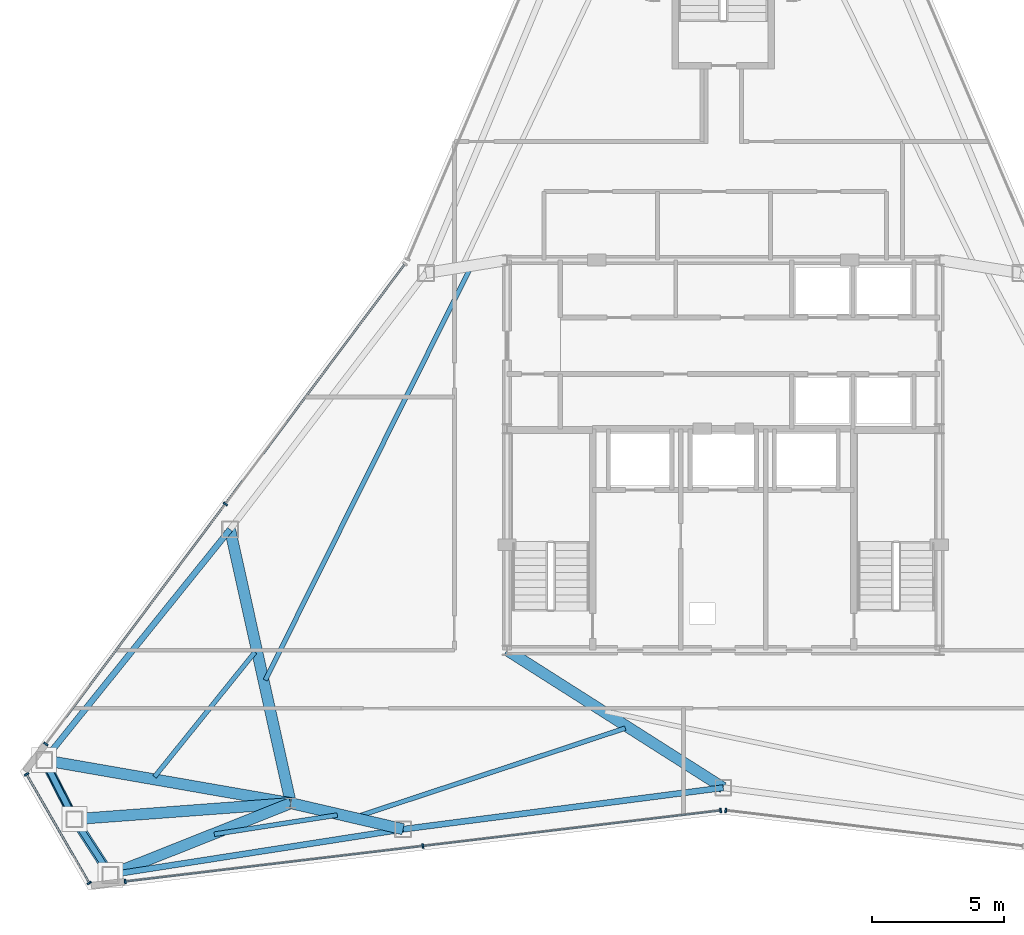
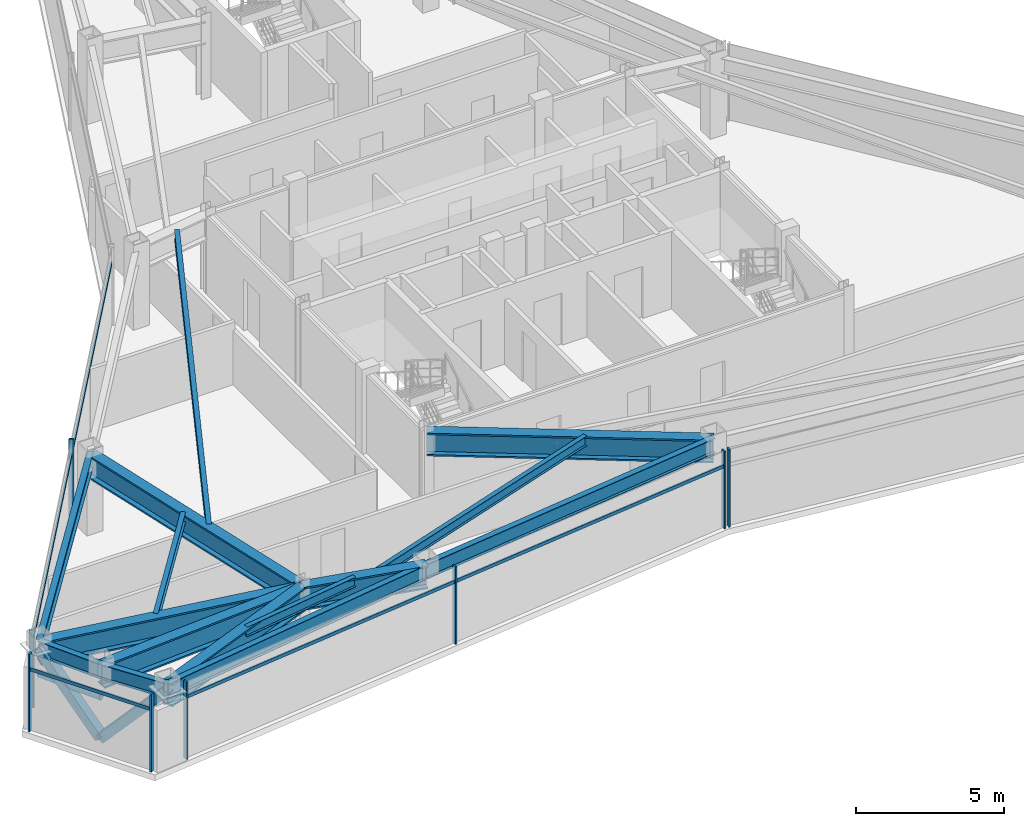
# One storey, part 3 of 12: 15 beams, 14 members, 4 elements without a shape of their own.
"""IFC4 building model written with IfcOpenShell, lengths in metres."""

from ifc_helpers import new_model, si_unit, direction, frame, origin, origin_2d, place, context, subcontext, project, spatial, rectangle, hollow_rectangle, hollow_circle, i_section, extrude, source, transform, mapped, material, layer, layer_set, material_profile, profile_set, type_object, type_shapes, element, aggregate, save


model = new_model("IFC4")

# Units and contexts
model_context = context("Model", 3, precision=1e-05, world=origin(), true_north=direction((0.0, 1.0)))
body_context = subcontext(model_context, "Body", "Model", "MODEL_VIEW")
ifc_project = project(units=[si_unit("LENGTHUNIT", "METRE"), si_unit("AREAUNIT", "SQUARE_METRE"), si_unit("VOLUMEUNIT", "CUBIC_METRE"), si_unit("PLANEANGLEUNIT", "RADIAN"), si_unit("MASSUNIT", "GRAM", prefix="KILO")], contexts=[model_context])

# Site, building, storey
site_placement = place(None, origin())
site = spatial("IfcSite", under=ifc_project, at=site_placement, CompositionType="ELEMENT")
building_placement = place(site_placement, origin())
building = spatial("IfcBuilding", under=site, at=building_placement, Name="Varakhsha Concourse Tower", CompositionType="ELEMENT")
storey_placement = place(building_placement, frame((0.0, 0.0, 286.5)))
storey = spatial("IfcBuildingStorey", under=building, at=storey_placement, Name="L81", CompositionType="ELEMENT", Elevation=286.5)

# Beams
ifc_material_1 = material(Name="Structural Steel ASTM A992 Grade 50", Category="steel")
ifc_material_profile_1 = material_profile(ifc_material_1, i_section(OverallWidth=0.177978515625, OverallDepth=0.406982421875, WebThickness=0.008056640625, FlangeThickness=0.012939453125, at=origin_2d()), Name="W16X40")
ifc_profile_set_1 = profile_set([ifc_material_profile_1], Name="Structural Steel ASTM A992 Grade 50")
beam_type_1 = type_object("IfcBeamType", Name="BM-JST-W16X40", PredefinedType="JOIST", material=ifc_profile_set_1)
beam_1_placement = place(storey_placement, frame((30.399658203125, 30.884765625, 2.99658203125), z_axis=(-0.445174471936, -0.895443850577, 0.0), x_axis=(0.895443850577, -0.445174471936, 0.0)))
element("IfcBeam", 1, at=beam_1_placement, inside=storey, type_object=beam_type_1, Name="BM-TJST-L81-05", PredefinedType="JOIST", context=body_context, shape_type="SweptSolid", body=[
    extrude(i_section(OverallWidth=0.177978515625, OverallDepth=0.406982421875, WebThickness=0.008056640625, FlangeThickness=0.012939453125, at=origin_2d()), origin(), (0.0, 0.0, 1.0), 17.4423828125),
])
beam_2_placement = place(storey_placement, frame((22.239990234375, 16.327880859375, 2.99658203125), z_axis=(-0.627250971865, -0.778817191833, 0.0), x_axis=(0.778817191833, -0.627250971865, 0.0)))
element("IfcBeam", 2, at=beam_2_placement, inside=storey, type_object=beam_type_1, Name="BM-TJST-L81-06", PredefinedType="JOIST", context=body_context, shape_type="SweptSolid", body=[
    extrude(i_section(OverallWidth=0.177978515625, OverallDepth=0.406982421875, WebThickness=0.008056640625, FlangeThickness=0.012939453125, at=origin_2d()), origin(), (0.0, 0.0, 1.0), 6.07275390625),
])
beam_3_placement = place(storey_placement, frame((20.697509765625, 9.4208984375, 2.99658203125), z_axis=(0.988095879414, 0.153839309294, 0.0), x_axis=(-0.153839309294, 0.988095879414, 0.0)))
element("IfcBeam", 3, at=beam_3_placement, inside=storey, type_object=beam_type_1, Name="BM-TJST-L81-09", PredefinedType="JOIST", context=body_context, shape_type="SweptSolid", body=[
    extrude(i_section(OverallWidth=0.177978515625, OverallDepth=0.406982421875, WebThickness=0.008056640625, FlangeThickness=0.012939453125, at=origin_2d()), origin(), (0.0, 0.0, 1.0), 4.724365234375),
])
beam_4_placement = place(storey_placement, frame((26.090087890625, 10.080078125, 2.99658203125), z_axis=(0.949633858692, 0.31336166713, 0.0), x_axis=(-0.31336166713, 0.949633858692, 0.0)))
element("IfcBeam", 4, at=beam_4_placement, inside=storey, type_object=beam_type_1, Name="BM-TJST-L81-10", PredefinedType="JOIST", context=body_context, shape_type="SweptSolid", body=[
    extrude(i_section(OverallWidth=0.177978515625, OverallDepth=0.406982421875, WebThickness=0.008056640625, FlangeThickness=0.012939453125, at=origin_2d()), origin(), (0.0, 0.0, 1.0), 10.73828125),
])
ifc_material_profile_2 = material_profile(ifc_material_1, i_section(OverallWidth=0.423095703125, OverallDepth=0.947998046875, WebThickness=0.0380859375, FlangeThickness=0.06396484375, at=origin_2d()), Name="W36X302")
ifc_profile_set_2 = profile_set([ifc_material_profile_2], Name="Structural Steel ASTM A992 Grade 50")
beam_type_2 = type_object("IfcBeamType", Name="BM-OUTR-W36X302", PredefinedType="USERDEFINED", material=ifc_profile_set_2)
beam_5_placement = place(storey_placement, frame((23.60009765625, 10.60009765625, 2.72607421875), z_axis=(-0.216774876947, 0.976221620701, 0.0), x_axis=(-0.976221620701, -0.216774876947, 0.0)))
element("IfcBeam", 5, at=beam_5_placement, inside=storey, type_object=beam_type_2, Name="L81 Radial Floor Girder 06", ObjectType="GIRDER", PredefinedType="USERDEFINED", context=body_context, shape_type="SweptSolid", body=[
    extrude(i_section(OverallWidth=0.423095703125, OverallDepth=0.947998046875, WebThickness=0.0380859375, FlangeThickness=0.06396484375, at=origin_2d()), origin(), (0.0, 0.0, 1.0), 10.634033203125),
])
beam_6_placement = place(storey_placement, frame((23.60009765625, 10.60009765625, 2.72607421875), z_axis=(-0.985160946452, 0.171633066701, 0.0), x_axis=(-0.171633066701, -0.985160946452, 0.0)))
element("IfcBeam", 6, at=beam_6_placement, inside=storey, type_object=beam_type_2, Name="L81 Radial Floor Girder 07", ObjectType="GIRDER", PredefinedType="USERDEFINED", context=body_context, shape_type="SweptSolid", body=[
    extrude(i_section(OverallWidth=0.423095703125, OverallDepth=0.947998046875, WebThickness=0.0380859375, FlangeThickness=0.06396484375, at=origin_2d()), origin(), (0.0, 0.0, 1.0), 9.494873046875),
])
beam_7_placement = place(storey_placement, frame((23.60009765625, 10.60009765625, 2.72607421875), z_axis=(-0.997265326359, -0.073904457528, 0.0), x_axis=(0.073904457528, -0.997265326359, 0.0)))
element("IfcBeam", 7, at=beam_7_placement, inside=storey, type_object=beam_type_2, Name="L81 Radial Floor Girder 08", ObjectType="GIRDER", PredefinedType="USERDEFINED", context=body_context, shape_type="SweptSolid", body=[
    extrude(i_section(OverallWidth=0.423095703125, OverallDepth=0.947998046875, WebThickness=0.0380859375, FlangeThickness=0.06396484375, at=origin_2d()), origin(), (0.0, 0.0, 1.0), 8.232177734375),
])
beam_8_placement = place(storey_placement, frame((23.60009765625, 10.60009765625, 2.72607421875), z_axis=(-0.929358942511, -0.369177404476, 0.0), x_axis=(0.369177404476, -0.929358942511, 0.0)))
element("IfcBeam", 8, at=beam_8_placement, inside=storey, type_object=beam_type_2, Name="L81 Radial Floor Girder 09", ObjectType="GIRDER", PredefinedType="USERDEFINED", context=body_context, shape_type="SweptSolid", body=[
    extrude(i_section(OverallWidth=0.423095703125, OverallDepth=0.947998046875, WebThickness=0.0380859375, FlangeThickness=0.06396484375, at=origin_2d()), origin(), (0.0, 0.0, 1.0), 7.36376953125),
])
beam_9_placement = place(storey_placement, frame((23.60009765625, 10.60009765625, 2.72607421875), z_axis=(0.974053264238, -0.22631888659, 0.0), x_axis=(0.22631888659, 0.974053264238, 0.0)))
element("IfcBeam", 9, at=beam_9_placement, inside=storey, type_object=beam_type_2, Name="L81 Radial Floor Girder 10", ObjectType="GIRDER", PredefinedType="USERDEFINED", context=body_context, shape_type="SweptSolid", body=[
    extrude(i_section(OverallWidth=0.423095703125, OverallDepth=0.947998046875, WebThickness=0.0380859375, FlangeThickness=0.06396484375, at=origin_2d()), origin(), (0.0, 0.0, 1.0), 4.373291015625),
])
beam_10_placement = place(storey_placement, frame((31.800048828125, 16.39990234375, 2.72607421875), z_axis=(0.843815591671, -0.536633252094, 0.0), x_axis=(0.536633252094, 0.843815591671, 0.0)))
element("IfcBeam", 10, at=beam_10_placement, inside=storey, type_object=beam_type_2, Name="L81 Radial Floor Girder 11", ObjectType="GIRDER", PredefinedType="USERDEFINED", context=body_context, shape_type="SweptSolid", body=[
    extrude(i_section(OverallWidth=0.423095703125, OverallDepth=0.947998046875, WebThickness=0.0380859375, FlangeThickness=0.06396484375, at=origin_2d()), origin(), (0.0, 0.0, 1.0), 9.7177734375),
])
ifc_material_profile_3 = material_profile(ifc_material_1, i_section(OverallWidth=0.22900390625, OverallDepth=0.612060546875, WebThickness=0.011962890625, FlangeThickness=0.02001953125, at=origin_2d()), Name="W24X84")
ifc_profile_set_3 = profile_set([ifc_material_profile_3], Name="Structural Steel ASTM A992 Grade 50")
beam_type_3 = type_object("IfcBeamType", Name="BM-SPAN-W24X84", PredefinedType="SPANDREL", material=ifc_profile_set_3)
beam_11_placement = place(storey_placement, frame((21.294921875, 20.981201171875, 2.89404296875), z_axis=(-0.627277564502, -0.778795773661, 0.0), x_axis=(0.778795773661, -0.627277564502, 0.0)))
element("IfcBeam", 11, at=beam_11_placement, inside=storey, type_object=beam_type_3, Name="BM-SPAN-L81-06", PredefinedType="SPANDREL", context=body_context, shape_type="SweptSolid", body=[
    extrude(i_section(OverallWidth=0.22900390625, OverallDepth=0.612060546875, WebThickness=0.011962890625, FlangeThickness=0.02001953125, at=origin_2d()), origin(), (0.0, 0.0, 1.0), 11.237060546875),
])
for number, where, z_axis, x_axis, name in (
    (12, (14.24609375, 12.229736328125, 2.89404296875), (0.455237693932, -0.89036994672, 0.0), (0.89036994672, 0.455237693932, 0.0), "BM-SPAN-L81-07"),
    (13, (15.390380859375, 9.99169921875, 2.89404296875), (0.543488847416, -0.839416388173, 0.0), (0.839416388173, 0.543488847416, 0.0), "BM-SPAN-L81-08"),
):
    element("IfcBeam", number, at=place(storey_placement, frame(where, z_axis=z_axis, x_axis=x_axis)), inside=storey, type_object=beam_type_3, Name=name, PredefinedType="SPANDREL", context=body_context, shape_type="SweptSolid", body=[
        extrude(i_section(OverallWidth=0.22900390625, OverallDepth=0.612060546875, WebThickness=0.011962890625, FlangeThickness=0.02001953125, at=origin_2d()), origin(), (0.0, 0.0, 1.0), 2.513671875),
    ])
beam_12_placement = place(storey_placement, frame((16.756591796875, 7.881591796875, 2.89404296875), z_axis=(0.988095047233, 0.153844654224, 0.0), x_axis=(-0.153844654224, 0.988095047233, 0.0)))
element("IfcBeam", 14, at=beam_12_placement, inside=storey, type_object=beam_type_3, Name="BM-SPAN-L81-09", PredefinedType="SPANDREL", context=body_context, shape_type="SweptSolid", body=[
    extrude(i_section(OverallWidth=0.22900390625, OverallDepth=0.612060546875, WebThickness=0.011962890625, FlangeThickness=0.02001953125, at=origin_2d()), origin(), (0.0, 0.0, 1.0), 11.237060546875),
])
beam_13_placement = place(storey_placement, frame((27.85986328125, 9.6103515625, 2.89404296875), z_axis=(0.991692239346, 0.12863320886, 0.0), x_axis=(-0.12863320886, 0.991692239346, 0.0)))
element("IfcBeam", 15, at=beam_13_placement, inside=storey, type_object=beam_type_3, Name="BM-SPAN-L81-10", PredefinedType="SPANDREL", context=body_context, shape_type="SweptSolid", body=[
    extrude(i_section(OverallWidth=0.22900390625, OverallDepth=0.612060546875, WebThickness=0.011962890625, FlangeThickness=0.02001953125, at=origin_2d()), origin(), (0.0, 0.0, 1.0), 12.241943359375),
])

# Members
ifc_material_2 = material(Name="Structural Steel ASTM A500 Grade C", Category="steel")
ifc_material_profile_4 = material_profile(ifc_material_2, hollow_rectangle(XDim=0.35009765625, YDim=0.35009765625, WallThickness=0.01611328125, at=origin_2d()), Name="HSS 350x350x16")
ifc_profile_set_4 = profile_set([ifc_material_profile_4], Name="Structural Steel ASTM A500 Grade C")
member_type_1 = type_object("IfcMemberType", Name="MB-TUBE-HSS350", PredefinedType="BRACE", material=ifc_profile_set_4)
shared_shape_1 = source(origin(), body_context, "Body", "SweptSolid", [
    extrude(hollow_rectangle(XDim=0.35009765625, YDim=0.35009765625, WallThickness=0.01611328125, at=origin_2d()), origin(), (0.0, 0.0, 1.0), 3.747802734375),
])
type_shapes(member_type_1, [shared_shape_1])
for number, where, z_axis, x_axis, name in (
    (16, (15.390380859375, 9.99169921875, 0.1201171875), (-0.305328832075, 0.597172904551, 0.741726921699), (-0.89036994672, -0.455237693932, 0.0), "L81 Wind-Corner Tube Brace B03"),
    (17, (15.390380859375, 9.99169921875, 0.1201171875), (0.364533062698, -0.563019882219, 0.741703618992), (0.839416388173, 0.543488847416, 0.0), "L81 Wind-Corner Tube Brace B04"),
):
    element("IfcMember", number, at=place(storey_placement, frame(where, z_axis=z_axis, x_axis=x_axis)), inside=storey, type_object=member_type_1, Name=name, PredefinedType="BRACE", context=body_context, shape_type="MappedRepresentation", body=[
        mapped(shared_shape_1, transform((0.0, 0.0, 0.0), scale=1.0)),
    ])
ifc_material_profile_5 = material_profile(ifc_material_2, hollow_circle(Radius=0.136474609375, WallThickness=0.011962890625, at=origin_2d()), Name="CHS 273x12")
ifc_profile_set_5 = profile_set([ifc_material_profile_5], Name="Structural Steel ASTM A500 Grade C")
member_type_2 = type_object("IfcMemberType", Name="MB-WIND-CHS273", PredefinedType="COLLAR", material=ifc_profile_set_5)
shared_shape_2 = source(origin(), body_context, "Body", "SweptSolid", [
    extrude(hollow_circle(Radius=0.136474609375, WallThickness=0.011962890625, at=origin_2d()), origin(), (0.0, 0.0, 1.0), 2.513671875),
])
type_shapes(member_type_2, [shared_shape_2])
member_1_placement = place(storey_placement, frame((14.24609375, 12.229736328125, 1.800048828125), z_axis=(0.455237693932, -0.89036994672, 0.0), x_axis=(0.89036994672, 0.455237693932, 0.0)))
element("IfcMember", 18, at=member_1_placement, inside=storey, type_object=member_type_2, Name="L81 Wind-Corner Collar Tie 2", PredefinedType="COLLAR", context=body_context, shape_type="MappedRepresentation", body=[
    mapped(shared_shape_2, transform((0.0, 0.0, 0.0), scale=1.0)),
])

# Curtain wall, members
ifc_material_3 = material(Name="Anodised Bronze Architectural Aluminium AA 6063-T6", Category="aluminium")
ifc_layer = layer(ifc_material_3, 0.199951171875, Name="CW-SYS-05")
ifc_layer_set = layer_set([ifc_layer], Name="Anodised Bronze Architectural Aluminium AA 6063-T6")
curtain_wall_type = type_object("IfcCurtainWallType", Name="CW-SYS-05", PredefinedType="NOTDEFINED", material=ifc_layer_set)
curtain_wall_1_placement = place(storey_placement, origin())
curtain_wall_1 = element("IfcCurtainWall", 19, at=curtain_wall_1_placement, inside=storey, type_object=curtain_wall_type, Name="L81 Crystal Curtain Wall F3", PredefinedType="NOTDEFINED")
ifc_material_profile_6 = material_profile(ifc_material_3, rectangle(XDim=0.06494140625, YDim=0.179931640625, at=origin_2d()), Name="CWM-180X65")
ifc_profile_set_6 = profile_set([ifc_material_profile_6], Name="Anodised Bronze Architectural Aluminium AA 6063-T6")
member_type_3 = type_object("IfcMemberType", Name="CWM-180X65", PredefinedType="MULLION", material=ifc_profile_set_6)
shared_shape_3 = source(origin(), body_context, "Body", "SweptSolid", [
    extrude(rectangle(XDim=0.06494140625, YDim=0.179931640625, at=origin_2d()), origin(), (0.0, 0.0, 1.0), 3.199951171875),
])
type_shapes(member_type_3, [shared_shape_3])
member_2_placement = place(storey_placement, frame((14.30712890625, 12.844482421875, 0.0), z_axis=(0.0, 0.0, 1.0), x_axis=(0.599113037331, 0.800664454375, 0.0)))
member_2 = element("IfcMember", 20, at=member_2_placement, type_object=member_type_3, Name="CW-L81-F3 Mullion 00", PredefinedType="MULLION", context=body_context, shape_type="MappedRepresentation", body=[
    mapped(shared_shape_3, transform((0.0, 0.0, 0.0), scale=1.0)),
])
member_3_placement = place(storey_placement, frame((21.119873046875, 21.948974609375, 0.0), z_axis=(0.0, 0.0, 1.0), x_axis=(0.599113037331, 0.800664454375, 0.0)))
member_3 = element("IfcMember", 21, at=member_3_placement, type_object=member_type_3, Name="CW-L81-F3 Mullion 01", PredefinedType="MULLION", context=body_context, shape_type="MappedRepresentation", body=[
    mapped(shared_shape_3, transform((0.0, 0.0, 0.0), scale=1.0)),
])

curtain_wall_2_placement = place(storey_placement, origin())
curtain_wall_2 = element("IfcCurtainWall", 22, at=curtain_wall_2_placement, inside=storey, type_object=curtain_wall_type, Name="L81 Chamfer Curtain Wall F4", PredefinedType="NOTDEFINED")
member_4_placement = place(storey_placement, frame((15.956787109375, 7.570556640625, 0.0), z_axis=(0.0, 0.0, 1.0), x_axis=(-0.4999984885, 0.866026276448, 0.0)))
member_4 = element("IfcMember", 23, at=member_4_placement, type_object=member_type_3, Name="CW-L81-F4 Mullion 00", PredefinedType="MULLION", context=body_context, shape_type="MappedRepresentation", body=[
    mapped(shared_shape_3, transform((0.0, 0.0, 0.0), scale=1.0)),
])
member_5_placement = place(storey_placement, frame((13.576904296875, 11.69287109375, 0.0), z_axis=(0.0, 0.0, 1.0), x_axis=(-0.4999984885, 0.866026276448, 0.0)))
member_5 = element("IfcMember", 24, at=member_5_placement, type_object=member_type_3, Name="CW-L81-F4 Mullion 01", PredefinedType="MULLION", context=body_context, shape_type="MappedRepresentation", body=[
    mapped(shared_shape_3, transform((0.0, 0.0, 0.0), scale=1.0)),
])

curtain_wall_3_placement = place(storey_placement, origin())
curtain_wall_3 = element("IfcCurtainWall", 25, at=curtain_wall_3_placement, inside=storey, type_object=curtain_wall_type, Name="L81 Crystal Curtain Wall F5", PredefinedType="NOTDEFINED")
member_6_placement = place(storey_placement, frame((39.901611328125, 10.322509765625, 0.0), z_axis=(0.0, 0.0, 1.0), x_axis=(-0.992952482908, -0.118513149851, 0.0)))
member_6 = element("IfcMember", 26, at=member_6_placement, type_object=member_type_3, Name="CW-L81-F5 Mullion 00", PredefinedType="MULLION", context=body_context, shape_type="MappedRepresentation", body=[
    mapped(shared_shape_3, transform((0.0, 0.0, 0.0), scale=1.0)),
])
member_7_placement = place(storey_placement, frame((28.6103515625, 8.974609375, 0.0), z_axis=(0.0, 0.0, 1.0), x_axis=(-0.992952482908, -0.118513149851, 0.0)))
member_7 = element("IfcMember", 27, at=member_7_placement, type_object=member_type_3, Name="CW-L81-F5 Mullion 01", PredefinedType="MULLION", context=body_context, shape_type="MappedRepresentation", body=[
    mapped(shared_shape_3, transform((0.0, 0.0, 0.0), scale=1.0)),
])
member_8_placement = place(storey_placement, frame((17.3193359375, 7.627197265625, 0.0), z_axis=(0.0, 0.0, 1.0), x_axis=(-0.992952482908, -0.118513149851, 0.0)))
member_8 = element("IfcMember", 28, at=member_8_placement, type_object=member_type_3, Name="CW-L81-F5 Mullion 02", PredefinedType="MULLION", context=body_context, shape_type="MappedRepresentation", body=[
    mapped(shared_shape_3, transform((0.0, 0.0, 0.0), scale=1.0)),
])

# Curtain wall, member
curtain_wall_4_placement = place(storey_placement, origin())
curtain_wall_4 = element("IfcCurtainWall", 29, at=curtain_wall_4_placement, inside=storey, type_object=curtain_wall_type, Name="L81 Crystal Curtain Wall F6", PredefinedType="NOTDEFINED")
member_9_placement = place(storey_placement, frame((40.098388671875, 10.322509765625, 0.0), z_axis=(0.0, 0.0, 1.0), x_axis=(-0.992952482908, 0.118513149851, 0.0)))
member_9 = element("IfcMember", 30, at=member_9_placement, type_object=member_type_3, Name="CW-L81-F6 Mullion 02", PredefinedType="MULLION", context=body_context, shape_type="MappedRepresentation", body=[
    mapped(shared_shape_3, transform((0.0, 0.0, 0.0), scale=1.0)),
])
aggregate(curtain_wall_4, [member_9])

# Member
ifc_material_profile_7 = material_profile(ifc_material_3, rectangle(XDim=0.06005859375, YDim=0.139892578125, at=origin_2d()), Name="CWT-140X60")
ifc_profile_set_7 = profile_set([ifc_material_profile_7], Name="Anodised Bronze Architectural Aluminium AA 6063-T6")
member_type_4 = type_object("IfcMemberType", Name="CWT-140X60", PredefinedType="USERDEFINED", material=ifc_profile_set_7)
shared_shape_4 = source(origin(), body_context, "Body", "SweptSolid", [
    extrude(rectangle(XDim=0.06005859375, YDim=0.139892578125, at=origin_2d()), origin(), (0.0, 0.0, 1.0), 22.74267578125),
])
member_10_placement = place(storey_placement, frame((14.30712890625, 12.844482421875, 2.550048828125), z_axis=(0.599115077017, 0.800662928136, 0.0), x_axis=(-0.800662928136, 0.599115077017, 0.0)))
member_10 = element("IfcMember", 31, at=member_10_placement, type_object=member_type_4, Name="CW-L81-F3 Transom 01", ObjectType="TRANSOM", PredefinedType="USERDEFINED", context=body_context, shape_type="MappedRepresentation", body=[
    mapped(shared_shape_4, transform((0.0, 0.0, 0.0), scale=1.0)),
])

aggregate(curtain_wall_1, [member_2, member_3, member_10])

member_11_placement = place(storey_placement, frame((39.901611328125, 10.322509765625, 2.550048828125), z_axis=(-0.992952375289, -0.118514051517, 0.0), x_axis=(0.118514051517, -0.992952375289, 0.0)))
member_11 = element("IfcMember", 32, at=member_11_placement, type_object=member_type_4, Name="CW-L81-F5 Transom 01", ObjectType="TRANSOM", PredefinedType="USERDEFINED", context=body_context, shape_type="MappedRepresentation", body=[
    mapped(shared_shape_4, transform((0.0, 0.0, 0.0), scale=1.0)),
])

aggregate(curtain_wall_3, [member_6, member_7, member_8, member_11])

shared_shape_5 = source(origin(), body_context, "Body", "SweptSolid", [
    extrude(rectangle(XDim=0.06005859375, YDim=0.139892578125, at=origin_2d()), origin(), (0.0, 0.0, 1.0), 4.760009765625),
])
type_shapes(member_type_4, [shared_shape_4, shared_shape_5])
member_12_placement = place(storey_placement, frame((15.956787109375, 7.570556640625, 2.550048828125), z_axis=(-0.499978485002, 0.866037825118, 0.0), x_axis=(-0.866037825118, -0.499978485002, 0.0)))
member_12 = element("IfcMember", 33, at=member_12_placement, type_object=member_type_4, Name="CW-L81-F4 Transom 01", ObjectType="TRANSOM", PredefinedType="USERDEFINED", context=body_context, shape_type="MappedRepresentation", body=[
    mapped(shared_shape_5, transform((0.0, 0.0, 0.0), scale=1.0)),
])

aggregate(curtain_wall_2, [member_4, member_5, member_12])

save(model, "model.ifc")
